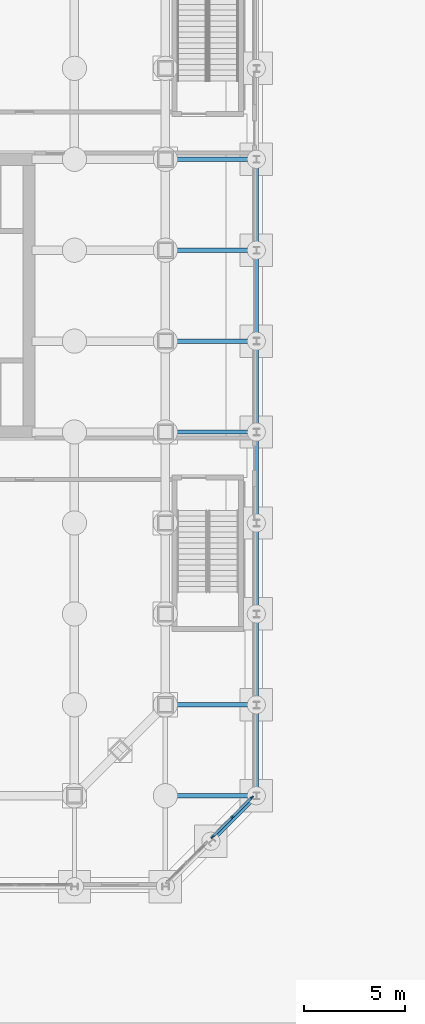
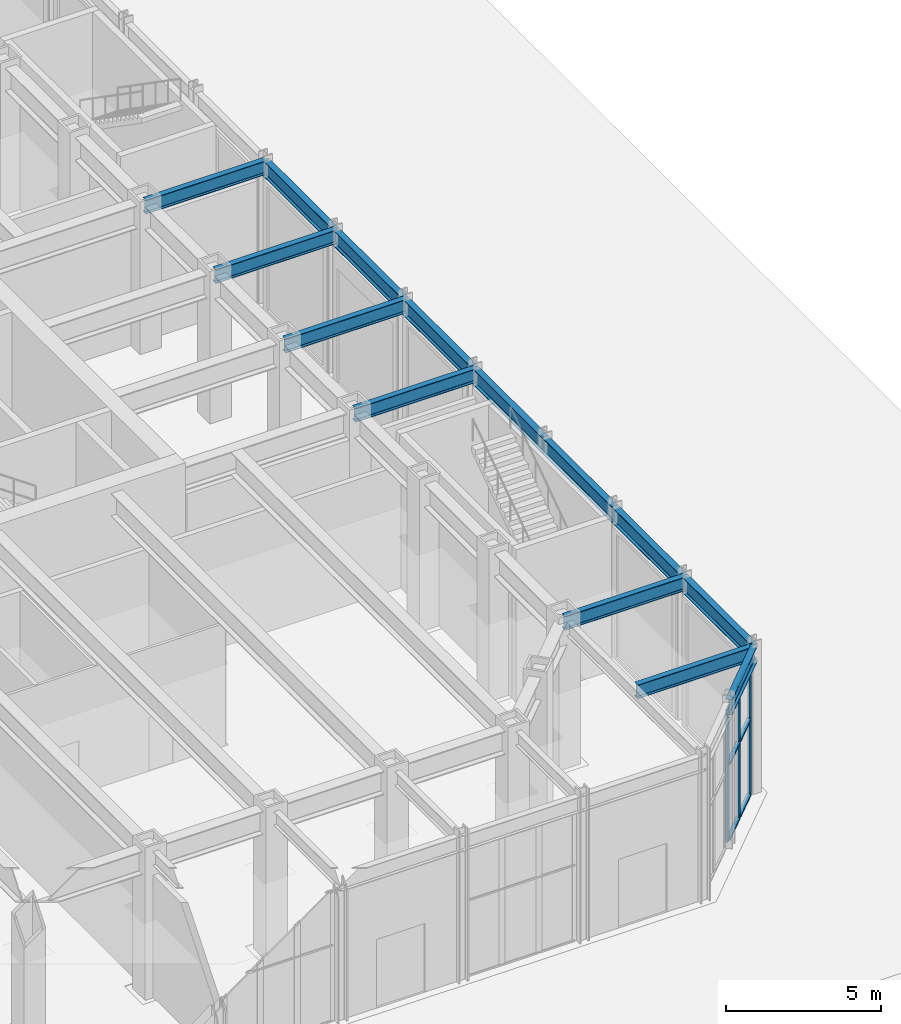
# One storey, part 8 of 39: 14 beams, 9 members, 1 element without a shape of its own.
"""IFC4 building model written with IfcOpenShell, lengths in metres."""

from ifc_helpers import new_model, si_unit, direction, frame, origin, origin_2d, place, context, subcontext, project, spatial, rectangle, i_section, extrude, material, material_profile, profile_set, type_object, element, aggregate, save


model = new_model("IFC4")

# Units and contexts
model_context = context("Model", 3, precision=1e-05, world=origin(), true_north=direction((0.0, 1.0)))
body_context = subcontext(model_context, "Body", "Model", "MODEL_VIEW")
ifc_project = project(units=[si_unit("LENGTHUNIT", "METRE"), si_unit("AREAUNIT", "SQUARE_METRE"), si_unit("VOLUMEUNIT", "CUBIC_METRE"), si_unit("PLANEANGLEUNIT", "RADIAN"), si_unit("MASSUNIT", "GRAM", prefix="KILO")], contexts=[model_context])

# Site, building, storey
site_placement = place(None, origin())
site = spatial("IfcSite", under=ifc_project, at=site_placement, CompositionType="ELEMENT")
building_placement = place(site_placement, origin())
building = spatial("IfcBuilding", under=site, at=building_placement, Name="Msasa Ring Tower", CompositionType="ELEMENT")
storey_placement = place(building_placement, origin())
storey = spatial("IfcBuildingStorey", under=building, at=storey_placement, Name="L00", CompositionType="ELEMENT", Elevation=0.0)

# Curtain wall, members
ifc_material_1 = material(Name="Aluminium curtain wall with clear glass", Category="aluminium")
curtain_wall_type = type_object("IfcCurtainWallType", Name="CW-K PODIUM CORNER CURTAIN WALL", PredefinedType="NOTDEFINED", material=ifc_material_1)
curtain_wall_placement = place(storey_placement, origin())
curtain_wall = element("IfcCurtainWall", 1, at=curtain_wall_placement, inside=storey, type_object=curtain_wall_type, Name="Podium corner curtain wall SE L00", PredefinedType="NOTDEFINED")
ifc_material_2 = material(Name="Aluminium mullion", Category="aluminium")
ifc_material_profile_1 = material_profile(ifc_material_2, rectangle(XDim=0.070068359375, YDim=0.199951171875, at=origin_2d()), Name="AL 70x200")
ifc_profile_set_1 = profile_set([ifc_material_profile_1], Name="Aluminium mullion")
member_type_1 = type_object("IfcMemberType", Name="CW-K MULLION 70x200", PredefinedType="MULLION", material=ifc_profile_set_1)
member_1_placement = place(storey_placement, frame((27.086669921875, -26.77197265625, 0.0), z_axis=(0.0, 0.0, 1.0), x_axis=(-0.707106781187, 0.707106781187, 0.0)))
member_1 = element("IfcMember", 2, at=member_1_placement, type_object=member_type_1, Name="CW-K mullion 1", PredefinedType="MULLION", context=body_context, shape_type="SweptSolid", body=[
    extrude(rectangle(XDim=0.070068359375, YDim=0.199951171875, at=origin_2d()), origin(), (0.0, 0.0, 1.0), 5.1328125),
])
member_2_placement = place(storey_placement, frame((28.05419921875, -25.80419921875, 0.0), z_axis=(0.0, 0.0, 1.0), x_axis=(-0.707106781187, 0.707106781187, 0.0)))
member_2 = element("IfcMember", 3, at=member_2_placement, type_object=member_type_1, Name="CW-K mullion 2", PredefinedType="MULLION", context=body_context, shape_type="SweptSolid", body=[
    extrude(rectangle(XDim=0.070068359375, YDim=0.199951171875, at=origin_2d()), origin(), (0.0, 0.0, 1.0), 5.1328125),
])
member_3_placement = place(storey_placement, frame((29.02197265625, -24.836669921875, 0.0), z_axis=(0.0, 0.0, 1.0), x_axis=(-0.707106781187, 0.707106781187, 0.0)))
member_3 = element("IfcMember", 4, at=member_3_placement, type_object=member_type_1, Name="CW-K mullion 3", PredefinedType="MULLION", context=body_context, shape_type="SweptSolid", body=[
    extrude(rectangle(XDim=0.070068359375, YDim=0.199951171875, at=origin_2d()), origin(), (0.0, 0.0, 1.0), 5.1328125),
])
ifc_material_3 = material(Name="Aluminium transom", Category="aluminium")
ifc_material_profile_2 = material_profile(ifc_material_3, rectangle(XDim=0.14990234375, YDim=0.070068359375, at=origin_2d()), Name="AL 70x150")
ifc_profile_set_2 = profile_set([ifc_material_profile_2], Name="Aluminium transom")
member_type_2 = type_object("IfcMemberType", Name="CW-K TRANSOM 70x150", PredefinedType="USERDEFINED", material=ifc_profile_set_2)
member_4_placement = place(storey_placement, frame((27.111572265625, -26.7470703125, 0.034912109375), z_axis=(0.707106781187, 0.707106781187, 0.0), x_axis=(-0.707106781187, 0.707106781187, 0.0)))
member_4 = element("IfcMember", 5, at=member_4_placement, type_object=member_type_2, Name="CW-K transom 1.1", ObjectType="TRANSOM", PredefinedType="USERDEFINED", context=body_context, shape_type="SweptSolid", body=[
    extrude(rectangle(XDim=0.14990234375, YDim=0.070068359375, at=origin_2d()), origin(), (0.0, 0.0, 1.0), 1.298095703125),
])
member_5_placement = place(storey_placement, frame((27.111572265625, -26.7470703125, 3.0), z_axis=(0.707106781187, 0.707106781187, 0.0), x_axis=(-0.707106781187, 0.707106781187, 0.0)))
member_5 = element("IfcMember", 6, at=member_5_placement, type_object=member_type_2, Name="CW-K transom 1.2", ObjectType="TRANSOM", PredefinedType="USERDEFINED", context=body_context, shape_type="SweptSolid", body=[
    extrude(rectangle(XDim=0.14990234375, YDim=0.070068359375, at=origin_2d()), origin(), (0.0, 0.0, 1.0), 1.298095703125),
])
member_6_placement = place(storey_placement, frame((27.111572265625, -26.7470703125, 5.097900390625), z_axis=(0.707106781187, 0.707106781187, 0.0), x_axis=(-0.707106781187, 0.707106781187, 0.0)))
member_6 = element("IfcMember", 7, at=member_6_placement, type_object=member_type_2, Name="CW-K transom 1.3", ObjectType="TRANSOM", PredefinedType="USERDEFINED", context=body_context, shape_type="SweptSolid", body=[
    extrude(rectangle(XDim=0.14990234375, YDim=0.070068359375, at=origin_2d()), origin(), (0.0, 0.0, 1.0), 1.298095703125),
])
member_7_placement = place(storey_placement, frame((28.0791015625, -25.779541015625, 0.034912109375), z_axis=(0.707106781187, 0.707106781187, 0.0), x_axis=(-0.707106781187, 0.707106781187, 0.0)))
member_7 = element("IfcMember", 8, at=member_7_placement, type_object=member_type_2, Name="CW-K transom 2.1", ObjectType="TRANSOM", PredefinedType="USERDEFINED", context=body_context, shape_type="SweptSolid", body=[
    extrude(rectangle(XDim=0.14990234375, YDim=0.070068359375, at=origin_2d()), origin(), (0.0, 0.0, 1.0), 1.298095703125),
])
member_8_placement = place(storey_placement, frame((28.0791015625, -25.779541015625, 3.0), z_axis=(0.707106781187, 0.707106781187, 0.0), x_axis=(-0.707106781187, 0.707106781187, 0.0)))
member_8 = element("IfcMember", 9, at=member_8_placement, type_object=member_type_2, Name="CW-K transom 2.2", ObjectType="TRANSOM", PredefinedType="USERDEFINED", context=body_context, shape_type="SweptSolid", body=[
    extrude(rectangle(XDim=0.14990234375, YDim=0.070068359375, at=origin_2d()), origin(), (0.0, 0.0, 1.0), 1.298095703125),
])
member_9_placement = place(storey_placement, frame((28.0791015625, -25.779541015625, 5.097900390625), z_axis=(0.707106781187, 0.707106781187, 0.0), x_axis=(-0.707106781187, 0.707106781187, 0.0)))
member_9 = element("IfcMember", 10, at=member_9_placement, type_object=member_type_2, Name="CW-K transom 2.3", ObjectType="TRANSOM", PredefinedType="USERDEFINED", context=body_context, shape_type="SweptSolid", body=[
    extrude(rectangle(XDim=0.14990234375, YDim=0.070068359375, at=origin_2d()), origin(), (0.0, 0.0, 1.0), 1.298095703125),
])
aggregate(curtain_wall, [member_1, member_2, member_3, member_4, member_5, member_6, member_7, member_8, member_9])

# Beams
ifc_material_4 = material(Name="Steel S355", Category="steel")
ifc_material_profile_3 = material_profile(ifc_material_4, i_section(OverallWidth=0.2119140625, OverallDepth=0.54443359375, WebThickness=0.0126953125, FlangeThickness=0.021240234375, FilletRadius=0.0126953125, at=origin_2d()), Name="UB 533x210x122")
ifc_profile_set_3 = profile_set([ifc_material_profile_3], Name="Steel S355")
beam_type_1 = type_object("IfcBeamType", Name="PB1 UB 533x210x122", PredefinedType="BEAM", material=ifc_profile_set_3)
beam_1_placement = place(storey_placement, frame((29.25, -24.75, 5.477783203125), z_axis=(-1.0, 0.0, 0.0), x_axis=(0.0, -1.0, 0.0)))
element("IfcBeam", 11, at=beam_1_placement, inside=storey, type_object=beam_type_1, Name="Podium beam E-24.75 under L01", PredefinedType="BEAM", context=body_context, shape_type="SweptSolid", body=[
    extrude(i_section(OverallWidth=0.2119140625, OverallDepth=0.54443359375, WebThickness=0.0126953125, FlangeThickness=0.021240234375, FilletRadius=0.0126953125, at=origin_2d()), origin(), (0.0, 0.0, 1.0), 4.39404296875),
])
for number, where, z_axis, x_axis, name in (
    (12, (29.25, -20.25, 5.477783203125), (-1.0, 0.0, 0.0), (0.0, -1.0, 0.0), "Podium beam E-20.25 under L01"),
    (13, (29.25, -6.75, 5.477783203125), (-1.0, 0.0, 0.0), (0.0, -1.0, 0.0), "Podium beam E-6.75 under L01"),
    (14, (29.25, -2.25, 5.477783203125), (-1.0, 0.0, 0.0), (0.0, -1.0, 0.0), "Podium beam E-2.25 under L01"),
    (15, (29.25, 2.25, 5.477783203125), (-1.0, 0.0, 0.0), (0.0, -1.0, 0.0), "Podium beam E+2.25 under L01"),
    (16, (29.25, 6.75, 5.477783203125), (-1.0, 0.0, 0.0), (0.0, -1.0, 0.0), "Podium beam E+6.75 under L01"),
):
    element("IfcBeam", number, at=place(storey_placement, frame(where, z_axis=z_axis, x_axis=x_axis)), inside=storey, type_object=beam_type_1, Name=name, PredefinedType="BEAM", context=body_context, shape_type="SweptSolid", body=[
        extrude(i_section(OverallWidth=0.2119140625, OverallDepth=0.54443359375, WebThickness=0.0126953125, FlangeThickness=0.021240234375, FilletRadius=0.0126953125, at=origin_2d()), origin(), (0.0, 0.0, 1.0), 4.5),
    ])
ifc_material_5 = material(Name="Steel S355", Category="steel")
ifc_material_profile_4 = material_profile(ifc_material_5, i_section(OverallWidth=0.230224609375, OverallDepth=0.6171875, WebThickness=0.01318359375, FlangeThickness=0.022216796875, FilletRadius=0.0126953125, at=origin_2d()), Name="UB 610x229x140")
ifc_profile_set_4 = profile_set([ifc_material_profile_4], Name="Steel S355")
beam_type_2 = type_object("IfcBeamType", Name="SB2 UB 610x229x140", PredefinedType="SPANDREL", material=ifc_profile_set_4)
beam_2_placement = place(storey_placement, frame((27.0, -27.0, 5.44140625), z_axis=(0.707106781187, 0.707106781187, 0.0), x_axis=(-0.707106781187, 0.707106781187, 0.0)))
element("IfcBeam", 17, at=beam_2_placement, inside=storey, type_object=beam_type_2, Name="Podium spandrel SE under L01", PredefinedType="SPANDREL", context=body_context, shape_type="SweptSolid", body=[
    extrude(i_section(OverallWidth=0.230224609375, OverallDepth=0.6171875, WebThickness=0.01318359375, FlangeThickness=0.022216796875, FilletRadius=0.0126953125, at=origin_2d()), origin(), (0.0, 0.0, 1.0), 3.181884765625),
])
for number, where, z_axis, x_axis, name in (
    (18, (29.25, -24.75, 5.44140625), (0.0, 1.0, 0.0), (-1.0, 0.0, 0.0), "Podium spandrel E-24.75 under L01"),
    (19, (29.25, -20.25, 5.44140625), (0.0, 1.0, 0.0), (-1.0, 0.0, 0.0), "Podium spandrel E-20.25 under L01"),
    (20, (29.25, -15.75, 5.44140625), (0.0, 1.0, 0.0), (-1.0, 0.0, 0.0), "Podium spandrel E-15.75 under L01"),
    (21, (29.25, -11.25, 5.44140625), (0.0, 1.0, 0.0), (-1.0, 0.0, 0.0), "Podium spandrel E-11.25 under L01"),
    (22, (29.25, -6.75, 5.44140625), (0.0, 1.0, 0.0), (-1.0, 0.0, 0.0), "Podium spandrel E-6.75 under L01"),
    (23, (29.25, -2.25, 5.44140625), (0.0, 1.0, 0.0), (-1.0, 0.0, 0.0), "Podium spandrel E-2.25 under L01"),
    (24, (29.25, 2.25, 5.44140625), (0.0, 1.0, 0.0), (-1.0, 0.0, 0.0), "Podium spandrel E+2.25 under L01"),
):
    element("IfcBeam", number, at=place(storey_placement, frame(where, z_axis=z_axis, x_axis=x_axis)), inside=storey, type_object=beam_type_2, Name=name, PredefinedType="SPANDREL", context=body_context, shape_type="SweptSolid", body=[
        extrude(i_section(OverallWidth=0.230224609375, OverallDepth=0.6171875, WebThickness=0.01318359375, FlangeThickness=0.022216796875, FilletRadius=0.0126953125, at=origin_2d()), origin(), (0.0, 0.0, 1.0), 4.5),
    ])

save(model, "model.ifc")
